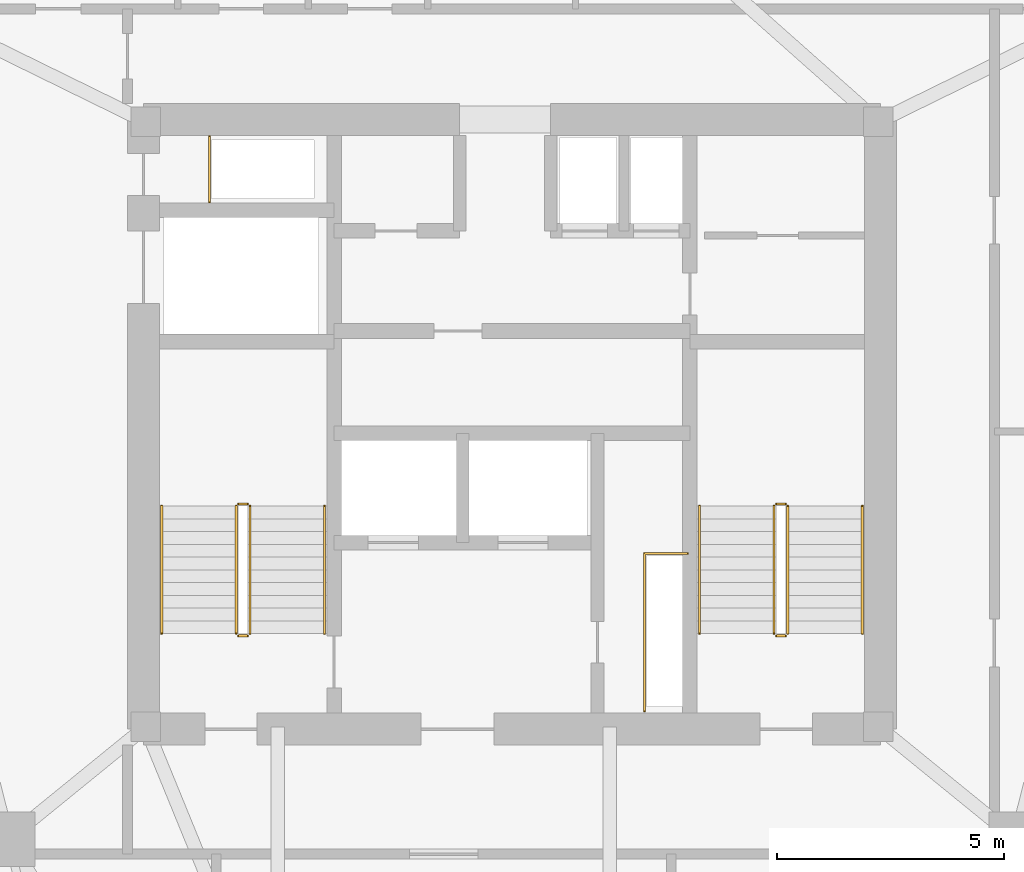
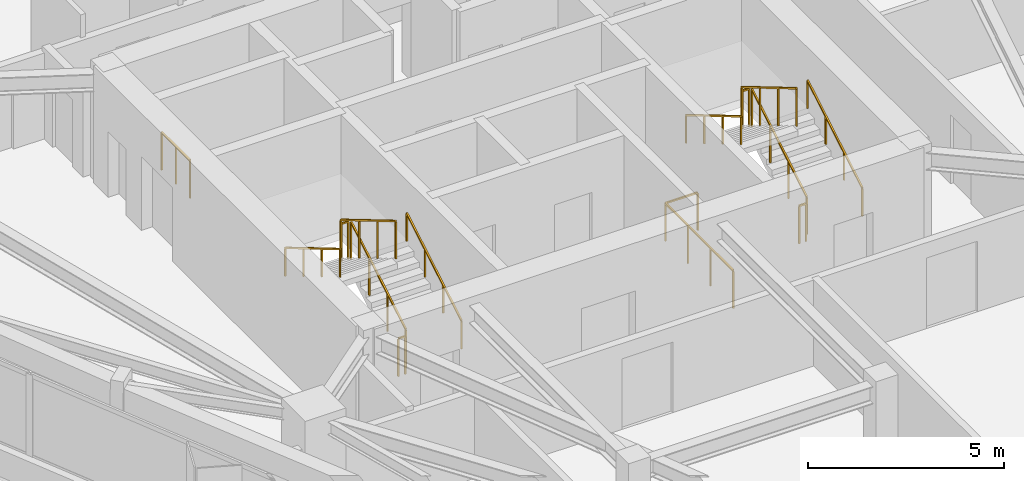
# One storey, part 10 of 10: 14 railings.
"""IFC4 building model written with IfcOpenShell, lengths in metres."""

from ifc_helpers import new_model, si_unit, direction, frame, origin, origin_2d, place, context, subcontext, project, spatial, rectangle, extrude, material, type_object, element, save


model = new_model("IFC4")

# Units and contexts
model_context = context("Model", 3, precision=1e-05, world=origin(), true_north=direction((0.0, 1.0)))
body_context = subcontext(model_context, "Body", "Model", "MODEL_VIEW")
ifc_project = project(units=[si_unit("LENGTHUNIT", "METRE"), si_unit("AREAUNIT", "SQUARE_METRE"), si_unit("VOLUMEUNIT", "CUBIC_METRE"), si_unit("PLANEANGLEUNIT", "RADIAN"), si_unit("MASSUNIT", "GRAM", prefix="KILO")], contexts=[model_context])

# Site, building, storey
site_placement = place(None, origin())
site = spatial("IfcSite", under=ifc_project, at=site_placement, CompositionType="ELEMENT")
building_placement = place(site_placement, origin())
building = spatial("IfcBuilding", under=site, at=building_placement, Name="Talyreon Biosciences Tower", CompositionType="ELEMENT")
storey_placement = place(building_placement, frame((0.0, 0.0, 260.800048828125)))
storey = spatial("IfcBuildingStorey", under=building, at=storey_placement, Name="L69", CompositionType="ELEMENT", Elevation=260.800048828125)

# Railings
ifc_material_1 = material(Name="Brushed stainless-steel tubular handrail", Category="steel")
railing_type_1 = type_object("IfcRailingType", Name="StairWallHandrail_900", PredefinedType="HANDRAIL", material=ifc_material_1)
railing_1_placement = place(storey_placement, frame((61.8798828125, 63.39990234375, 0.165771484375)))
element("IfcRailing", 1, at=railing_1_placement, inside=storey, type_object=railing_type_1, Name="L69 ST-1 stair handrail 1", PredefinedType="HANDRAIL", context=body_context, shape_type="SweptSolid", body=[
    extrude(rectangle(XDim=0.048095703125, YDim=0.048095703125, at=origin_2d()), frame((0.0, 0.0, 0.8759765625), z_axis=(0.0, 0.860306154799, 0.50977771628), x_axis=(-1.0, 0.0, 0.0)), (0.0, 0.0, 1.0), 3.254638671875),
    extrude(rectangle(XDim=0.0419921875, YDim=0.0419921875, at=origin_2d()), origin(), (0.0, 0.0, 1.0), 0.851806640625),
    extrude(rectangle(XDim=0.0419921875, YDim=0.0419921875, at=origin_2d()), frame((0.0, 0.933349609375, 0.552978515625)), (0.0, 0.0, 1.0), 0.851806640625),
    extrude(rectangle(XDim=0.0419921875, YDim=0.0419921875, at=origin_2d()), frame((0.0, 1.86669921875, 1.106201171875)), (0.0, 0.0, 1.0), 0.851806640625),
    extrude(rectangle(XDim=0.0419921875, YDim=0.0419921875, at=origin_2d()), frame((0.0, 2.800048828125, 1.6591796875)), (0.0, 0.0, 1.0), 0.851806640625),
])
railing_2_placement = place(storey_placement, frame((58.300048828125, 66.199951171875, 1.990966796875)))
element("IfcRailing", 2, at=railing_2_placement, inside=storey, type_object=railing_type_1, Name="L69 ST-1 stair handrail 2", PredefinedType="HANDRAIL", context=body_context, shape_type="SweptSolid", body=[
    extrude(rectangle(XDim=0.048095703125, YDim=0.048095703125, at=origin_2d()), frame((0.0, 0.0, 0.8759765625), z_axis=(0.0, -0.860339051648, 0.50972219513), x_axis=(1.0, 0.0, 0.0)), (0.0, 0.0, 1.0), 3.254638671875),
    extrude(rectangle(XDim=0.0419921875, YDim=0.0419921875, at=origin_2d()), origin(), (0.0, 0.0, 1.0), 0.851806640625),
    extrude(rectangle(XDim=0.0419921875, YDim=0.0419921875, at=origin_2d()), frame((0.0, -0.933349609375, 0.552978515625)), (0.0, 0.0, 1.0), 0.851806640625),
    extrude(rectangle(XDim=0.0419921875, YDim=0.0419921875, at=origin_2d()), frame((0.0, -1.86669921875, 1.10595703125)), (0.0, 0.0, 1.0), 0.851806640625),
    extrude(rectangle(XDim=0.0419921875, YDim=0.0419921875, at=origin_2d()), frame((0.0, -2.800048828125, 1.658935546875)), (0.0, 0.0, 1.0), 0.851806640625),
])
railing_3_placement = place(storey_placement, frame((73.699951171875, 63.39990234375, 0.165771484375)))
element("IfcRailing", 3, at=railing_3_placement, inside=storey, type_object=railing_type_1, Name="L69 ST-2 stair handrail 1", PredefinedType="HANDRAIL", context=body_context, shape_type="SweptSolid", body=[
    extrude(rectangle(XDim=0.048095703125, YDim=0.048095703125, at=origin_2d()), frame((0.0, 0.0, 0.8759765625), z_axis=(0.0, 0.860306154799, 0.50977771628), x_axis=(-1.0, 0.0, 0.0)), (0.0, 0.0, 1.0), 3.254638671875),
    extrude(rectangle(XDim=0.0419921875, YDim=0.0419921875, at=origin_2d()), origin(), (0.0, 0.0, 1.0), 0.851806640625),
    extrude(rectangle(XDim=0.0419921875, YDim=0.0419921875, at=origin_2d()), frame((0.0, 0.933349609375, 0.552978515625)), (0.0, 0.0, 1.0), 0.851806640625),
    extrude(rectangle(XDim=0.0419921875, YDim=0.0419921875, at=origin_2d()), frame((0.0, 1.86669921875, 1.106201171875)), (0.0, 0.0, 1.0), 0.851806640625),
    extrude(rectangle(XDim=0.0419921875, YDim=0.0419921875, at=origin_2d()), frame((0.0, 2.800048828125, 1.6591796875)), (0.0, 0.0, 1.0), 0.851806640625),
])
railing_4_placement = place(storey_placement, frame((70.1201171875, 66.199951171875, 1.990966796875)))
element("IfcRailing", 4, at=railing_4_placement, inside=storey, type_object=railing_type_1, Name="L69 ST-2 stair handrail 2", PredefinedType="HANDRAIL", context=body_context, shape_type="SweptSolid", body=[
    extrude(rectangle(XDim=0.048095703125, YDim=0.048095703125, at=origin_2d()), frame((0.0, 0.0, 0.8759765625), z_axis=(0.0, -0.860339051648, 0.50972219513), x_axis=(1.0, 0.0, 0.0)), (0.0, 0.0, 1.0), 3.254638671875),
    extrude(rectangle(XDim=0.0419921875, YDim=0.0419921875, at=origin_2d()), origin(), (0.0, 0.0, 1.0), 0.851806640625),
    extrude(rectangle(XDim=0.0419921875, YDim=0.0419921875, at=origin_2d()), frame((0.0, -0.933349609375, 0.552978515625)), (0.0, 0.0, 1.0), 0.851806640625),
    extrude(rectangle(XDim=0.0419921875, YDim=0.0419921875, at=origin_2d()), frame((0.0, -1.86669921875, 1.10595703125)), (0.0, 0.0, 1.0), 0.851806640625),
    extrude(rectangle(XDim=0.0419921875, YDim=0.0419921875, at=origin_2d()), frame((0.0, -2.800048828125, 1.658935546875)), (0.0, 0.0, 1.0), 0.851806640625),
])
ifc_material_2 = material(Name="Painted galvanised steel post-and-rail balustrade", Category="steel")
railing_type_2 = type_object("IfcRailingType", Name="TerraceStairGuard_1200", PredefinedType="GUARDRAIL", material=ifc_material_2)
railing_5_placement = place(storey_placement, frame((60.239990234375, 63.39990234375, 0.165771484375)))
element("IfcRailing", 5, at=railing_5_placement, inside=storey, type_object=railing_type_2, Name="L69 ST-1 stair guard 1", PredefinedType="GUARDRAIL", context=body_context, shape_type="SweptSolid", body=[
    extrude(rectangle(XDim=0.048095703125, YDim=0.048095703125, at=origin_2d()), frame((0.0, 0.0, 1.17578125), z_axis=(0.0, 0.860306154799, 0.50977771628), x_axis=(-1.0, 0.0, 0.0)), (0.0, 0.0, 1.0), 3.254638671875),
    extrude(rectangle(XDim=0.0419921875, YDim=0.0419921875, at=origin_2d()), origin(), (0.0, 0.0, 1.0), 1.15185546875),
    extrude(rectangle(XDim=0.0419921875, YDim=0.0419921875, at=origin_2d()), frame((0.0, 0.933349609375, 0.552978515625)), (0.0, 0.0, 1.0), 1.15185546875),
    extrude(rectangle(XDim=0.0419921875, YDim=0.0419921875, at=origin_2d()), frame((0.0, 1.86669921875, 1.106201171875)), (0.0, 0.0, 1.0), 1.15185546875),
    extrude(rectangle(XDim=0.0419921875, YDim=0.0419921875, at=origin_2d()), frame((0.0, 2.800048828125, 1.6591796875)), (0.0, 0.0, 1.0), 1.15185546875),
])
railing_6_placement = place(storey_placement, frame((60.18994140625, 66.25, 1.824951171875)))
element("IfcRailing", 6, at=railing_6_placement, inside=storey, type_object=railing_type_2, Name="L69 ST-1 stair guard 2", PredefinedType="GUARDRAIL", context=body_context, shape_type="SweptSolid", body=[
    extrude(rectangle(XDim=0.048095703125, YDim=0.048095703125, at=origin_2d()), frame((0.0, 0.0, 1.17578125), z_axis=(-1.0, 0.0, 0.0), x_axis=(0.0, -1.0, 0.0)), (0.0, 0.0, 1.0), 0.199951171875),
    extrude(rectangle(XDim=0.0419921875, YDim=0.0419921875, at=origin_2d()), origin(), (0.0, 0.0, 1.0), 1.15185546875),
    extrude(rectangle(XDim=0.0419921875, YDim=0.0419921875, at=origin_2d()), frame((-0.199951171875, 0.0, 0.0)), (0.0, 0.0, 1.0), 1.15185546875),
])
railing_7_placement = place(storey_placement, frame((59.93994140625, 66.199951171875, 1.990966796875)))
element("IfcRailing", 7, at=railing_7_placement, inside=storey, type_object=railing_type_2, Name="L69 ST-1 stair guard 3", PredefinedType="GUARDRAIL", context=body_context, shape_type="SweptSolid", body=[
    extrude(rectangle(XDim=0.048095703125, YDim=0.048095703125, at=origin_2d()), frame((0.0, 0.0, 1.17578125), z_axis=(0.0, -0.860339051648, 0.50972219513), x_axis=(1.0, 0.0, 0.0)), (0.0, 0.0, 1.0), 3.254638671875),
    extrude(rectangle(XDim=0.0419921875, YDim=0.0419921875, at=origin_2d()), origin(), (0.0, 0.0, 1.0), 1.15185546875),
    extrude(rectangle(XDim=0.0419921875, YDim=0.0419921875, at=origin_2d()), frame((0.0, -0.933349609375, 0.552978515625)), (0.0, 0.0, 1.0), 1.15185546875),
    extrude(rectangle(XDim=0.0419921875, YDim=0.0419921875, at=origin_2d()), frame((0.0, -1.86669921875, 1.10595703125)), (0.0, 0.0, 1.0), 1.15185546875),
    extrude(rectangle(XDim=0.0419921875, YDim=0.0419921875, at=origin_2d()), frame((0.0, -2.800048828125, 1.658935546875)), (0.0, 0.0, 1.0), 1.15185546875),
])
railing_8_placement = place(storey_placement, frame((60.18994140625, 63.35009765625, 0.0)))
element("IfcRailing", 8, at=railing_8_placement, inside=storey, type_object=railing_type_2, Name="L69 ST-1 stair guard 4", PredefinedType="GUARDRAIL", context=body_context, shape_type="SweptSolid", body=[
    extrude(rectangle(XDim=0.048095703125, YDim=0.048095703125, at=origin_2d()), frame((0.0, 0.0, 1.17578125), z_axis=(-1.0, 0.0, 0.0), x_axis=(0.0, -1.0, 0.0)), (0.0, 0.0, 1.0), 0.199951171875),
    extrude(rectangle(XDim=0.0419921875, YDim=0.0419921875, at=origin_2d()), origin(), (0.0, 0.0, 1.0), 1.15185546875),
    extrude(rectangle(XDim=0.0419921875, YDim=0.0419921875, at=origin_2d()), frame((-0.199951171875, 0.0, 0.0)), (0.0, 0.0, 1.0), 1.15185546875),
])
railing_9_placement = place(storey_placement, frame((72.06005859375, 63.39990234375, 0.165771484375)))
element("IfcRailing", 9, at=railing_9_placement, inside=storey, type_object=railing_type_2, Name="L69 ST-2 stair guard 1", PredefinedType="GUARDRAIL", context=body_context, shape_type="SweptSolid", body=[
    extrude(rectangle(XDim=0.048095703125, YDim=0.048095703125, at=origin_2d()), frame((0.0, 0.0, 1.17578125), z_axis=(0.0, 0.860306154799, 0.50977771628), x_axis=(-1.0, 0.0, 0.0)), (0.0, 0.0, 1.0), 3.254638671875),
    extrude(rectangle(XDim=0.0419921875, YDim=0.0419921875, at=origin_2d()), origin(), (0.0, 0.0, 1.0), 1.15185546875),
    extrude(rectangle(XDim=0.0419921875, YDim=0.0419921875, at=origin_2d()), frame((0.0, 0.933349609375, 0.552978515625)), (0.0, 0.0, 1.0), 1.15185546875),
    extrude(rectangle(XDim=0.0419921875, YDim=0.0419921875, at=origin_2d()), frame((0.0, 1.86669921875, 1.106201171875)), (0.0, 0.0, 1.0), 1.15185546875),
    extrude(rectangle(XDim=0.0419921875, YDim=0.0419921875, at=origin_2d()), frame((0.0, 2.800048828125, 1.6591796875)), (0.0, 0.0, 1.0), 1.15185546875),
])
railing_10_placement = place(storey_placement, frame((72.010009765625, 66.25, 1.824951171875)))
element("IfcRailing", 10, at=railing_10_placement, inside=storey, type_object=railing_type_2, Name="L69 ST-2 stair guard 2", PredefinedType="GUARDRAIL", context=body_context, shape_type="SweptSolid", body=[
    extrude(rectangle(XDim=0.048095703125, YDim=0.048095703125, at=origin_2d()), frame((0.0, 0.0, 1.17578125), z_axis=(-1.0, 0.0, 0.0), x_axis=(0.0, -1.0, 0.0)), (0.0, 0.0, 1.0), 0.199951171875),
    extrude(rectangle(XDim=0.0419921875, YDim=0.0419921875, at=origin_2d()), origin(), (0.0, 0.0, 1.0), 1.15185546875),
    extrude(rectangle(XDim=0.0419921875, YDim=0.0419921875, at=origin_2d()), frame((-0.199951171875, 0.0, 0.0)), (0.0, 0.0, 1.0), 1.15185546875),
])
railing_11_placement = place(storey_placement, frame((71.760009765625, 66.199951171875, 1.990966796875)))
element("IfcRailing", 11, at=railing_11_placement, inside=storey, type_object=railing_type_2, Name="L69 ST-2 stair guard 3", PredefinedType="GUARDRAIL", context=body_context, shape_type="SweptSolid", body=[
    extrude(rectangle(XDim=0.048095703125, YDim=0.048095703125, at=origin_2d()), frame((0.0, 0.0, 1.17578125), z_axis=(0.0, -0.860339051648, 0.50972219513), x_axis=(1.0, 0.0, 0.0)), (0.0, 0.0, 1.0), 3.254638671875),
    extrude(rectangle(XDim=0.0419921875, YDim=0.0419921875, at=origin_2d()), origin(), (0.0, 0.0, 1.0), 1.15185546875),
    extrude(rectangle(XDim=0.0419921875, YDim=0.0419921875, at=origin_2d()), frame((0.0, -0.933349609375, 0.552978515625)), (0.0, 0.0, 1.0), 1.15185546875),
    extrude(rectangle(XDim=0.0419921875, YDim=0.0419921875, at=origin_2d()), frame((0.0, -1.86669921875, 1.10595703125)), (0.0, 0.0, 1.0), 1.15185546875),
    extrude(rectangle(XDim=0.0419921875, YDim=0.0419921875, at=origin_2d()), frame((0.0, -2.800048828125, 1.658935546875)), (0.0, 0.0, 1.0), 1.15185546875),
])
railing_12_placement = place(storey_placement, frame((72.010009765625, 63.35009765625, 0.0)))
element("IfcRailing", 12, at=railing_12_placement, inside=storey, type_object=railing_type_2, Name="L69 ST-2 stair guard 4", PredefinedType="GUARDRAIL", context=body_context, shape_type="SweptSolid", body=[
    extrude(rectangle(XDim=0.048095703125, YDim=0.048095703125, at=origin_2d()), frame((0.0, 0.0, 1.17578125), z_axis=(-1.0, 0.0, 0.0), x_axis=(0.0, -1.0, 0.0)), (0.0, 0.0, 1.0), 0.199951171875),
    extrude(rectangle(XDim=0.0419921875, YDim=0.0419921875, at=origin_2d()), origin(), (0.0, 0.0, 1.0), 1.15185546875),
    extrude(rectangle(XDim=0.0419921875, YDim=0.0419921875, at=origin_2d()), frame((-0.199951171875, 0.0, 0.0)), (0.0, 0.0, 1.0), 1.15185546875),
])
railing_13_placement = place(storey_placement, frame((59.35009765625, 72.8798828125, 0.0)))
element("IfcRailing", 13, at=railing_13_placement, inside=storey, type_object=railing_type_2, Name="L69 Exhaust Riser Maintenance Guardrail", PredefinedType="GUARDRAIL", context=body_context, shape_type="SweptSolid", body=[
    extrude(rectangle(XDim=0.048095703125, YDim=0.048095703125, at=origin_2d()), frame((0.0, 0.0, 1.17578125), z_axis=(0.0, 1.0, 0.0), x_axis=(-1.0, 0.0, 0.0)), (0.0, 0.0, 1.0), 1.4501953125),
    extrude(rectangle(XDim=0.0419921875, YDim=0.0419921875, at=origin_2d()), origin(), (0.0, 0.0, 1.0), 1.15185546875),
    extrude(rectangle(XDim=0.0419921875, YDim=0.0419921875, at=origin_2d()), frame((0.0, 0.72509765625, 0.0)), (0.0, 0.0, 1.0), 1.15185546875),
    extrude(rectangle(XDim=0.0419921875, YDim=0.0419921875, at=origin_2d()), frame((0.0, 1.4501953125, 0.0)), (0.0, 0.0, 1.0), 1.15185546875),
])
railing_14_placement = place(storey_placement, frame((68.909912109375, 61.699951171875, 0.0)))
element("IfcRailing", 14, at=railing_14_placement, inside=storey, type_object=railing_type_2, Name="L69 Electrical Riser Maintenance Guardrail", PredefinedType="GUARDRAIL", context=body_context, shape_type="SweptSolid", body=[
    extrude(rectangle(XDim=0.048095703125, YDim=0.048095703125, at=origin_2d()), frame((0.0, 0.0, 1.17578125), z_axis=(0.0, 1.0, 0.0), x_axis=(-1.0, 0.0, 0.0)), (0.0, 0.0, 1.0), 3.4599609375),
    extrude(rectangle(XDim=0.048095703125, YDim=0.048095703125, at=origin_2d()), frame((0.0, 3.4599609375, 1.17578125), z_axis=(1.0, 0.0, 0.0), x_axis=(0.0, 1.0, 0.0)), (0.0, 0.0, 1.0), 0.9501953125),
    extrude(rectangle(XDim=0.0419921875, YDim=0.0419921875, at=origin_2d()), origin(), (0.0, 0.0, 1.0), 1.15185546875),
    extrude(rectangle(XDim=0.0419921875, YDim=0.0419921875, at=origin_2d()), frame((0.0, 1.1533203125, 0.0)), (0.0, 0.0, 1.0), 1.15185546875),
    extrude(rectangle(XDim=0.0419921875, YDim=0.0419921875, at=origin_2d()), frame((0.0, 2.306640625, 0.0)), (0.0, 0.0, 1.0), 1.15185546875),
    extrude(rectangle(XDim=0.0419921875, YDim=0.0419921875, at=origin_2d()), frame((0.0, 3.4599609375, 0.0)), (0.0, 0.0, 1.0), 1.15185546875),
    extrude(rectangle(XDim=0.0419921875, YDim=0.0419921875, at=origin_2d()), frame((0.9501953125, 3.4599609375, 0.0)), (0.0, 0.0, 1.0), 1.15185546875),
])

save(model, "model.ifc")
